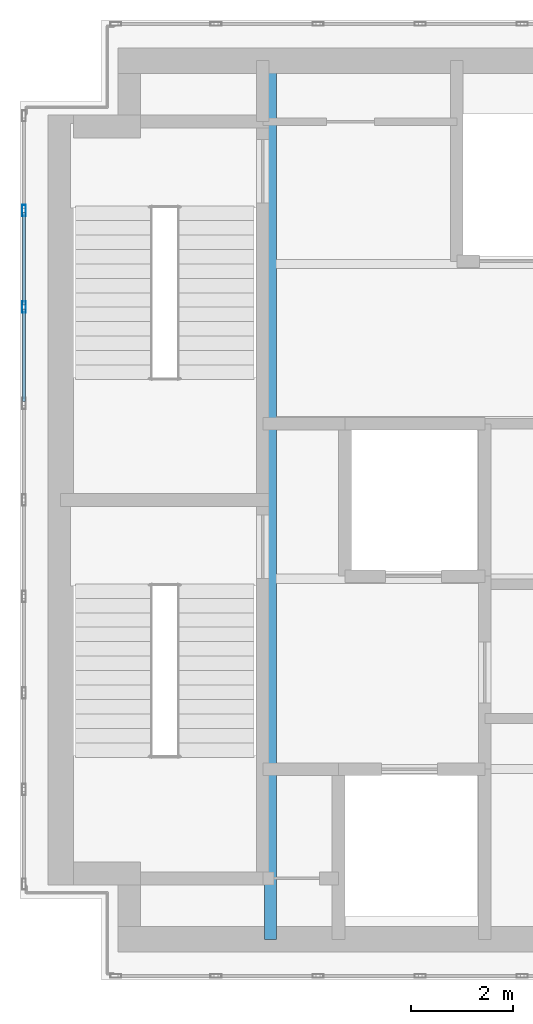
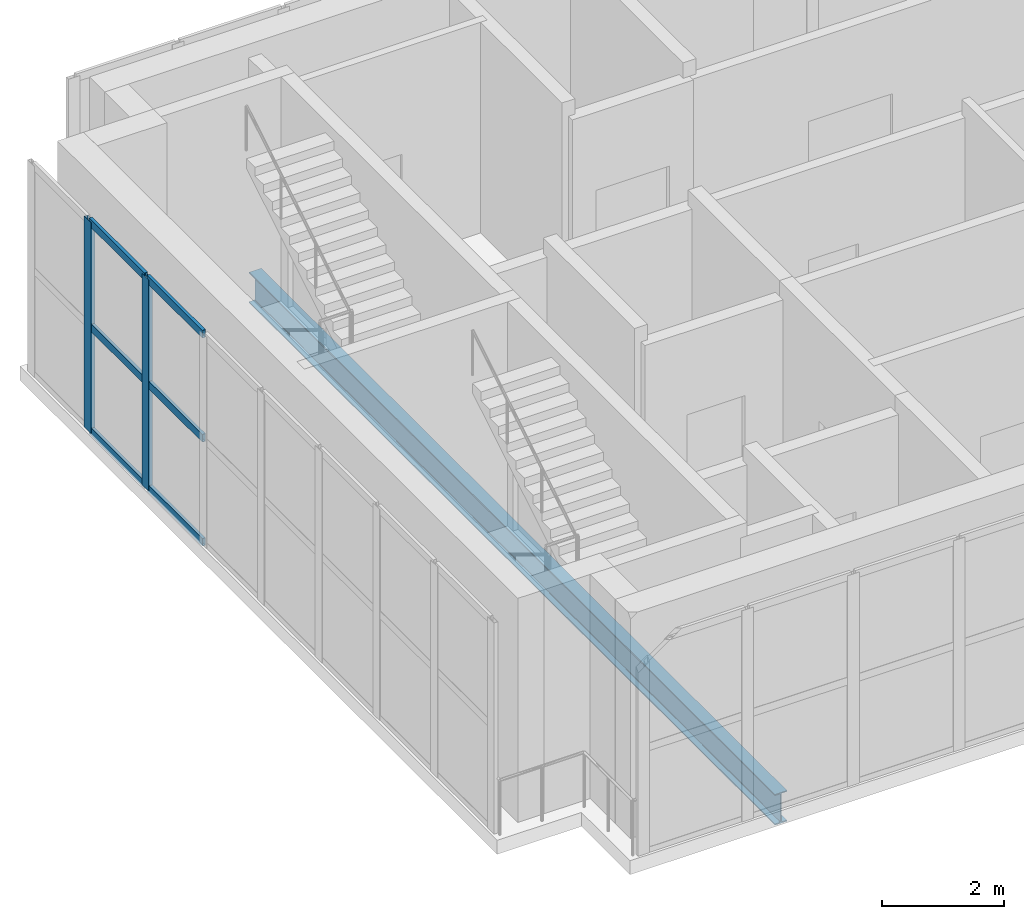
# One storey, part 4 of 21: 8 members, 1 beam, 1 element without a shape of its own.
"""IFC4 building model written with IfcOpenShell, lengths in metres."""

from ifc_helpers import new_model, si_unit, direction, frame, origin, origin_2d, place, context, subcontext, project, spatial, hollow_rectangle, i_section, extrude, material, layer, layer_set, material_profile, profile_set, type_object, element, aggregate, save


model = new_model("IFC4")

# Units and contexts
model_context = context("Model", 3, precision=1e-05, world=origin(), true_north=direction((0.0, 1.0)))
body_context = subcontext(model_context, "Body", "Model", "MODEL_VIEW")
ifc_project = project(units=[si_unit("LENGTHUNIT", "METRE"), si_unit("AREAUNIT", "SQUARE_METRE"), si_unit("VOLUMEUNIT", "CUBIC_METRE"), si_unit("PLANEANGLEUNIT", "RADIAN"), si_unit("MASSUNIT", "GRAM", prefix="KILO")], contexts=[model_context])

# Site, building, storey
site_placement = place(None, origin())
site = spatial("IfcSite", under=ifc_project, at=site_placement, CompositionType="ELEMENT")
building_placement = place(site_placement, origin())
building = spatial("IfcBuilding", under=site, at=building_placement, Name="Mawjdan Bourse Tower", CompositionType="ELEMENT")
storey_placement = place(building_placement, frame((0.0, 0.0, 317.699951171875)))
storey = spatial("IfcBuildingStorey", under=building, at=storey_placement, Name="L78", CompositionType="ELEMENT", Elevation=317.699951171875)

# Beam
ifc_material_1 = material(Name="Structural Steel S355", Category="steel")
ifc_material_profile_1 = material_profile(ifc_material_1, i_section(OverallWidth=0.22998046875, OverallDepth=0.616943359375, WebThickness=0.01318359375, FlangeThickness=0.022216796875, FilletRadius=0.017822265625, at=origin_2d()), Name="W24X94")
ifc_profile_set_1 = profile_set([ifc_material_profile_1], Name="Structural Steel S355")
beam_type = type_object("IfcBeamType", Name="GRD-W24X94", PredefinedType="BEAM", material=ifc_profile_set_1)
beam_placement = place(storey_placement, frame((10.47998046875, 3.35009765625, -0.58837890625), z_axis=(0.0, 1.0, 0.0), x_axis=(-1.0, 0.0, 0.0)))
element("IfcBeam", 1, at=beam_placement, inside=storey, type_object=beam_type, Name="L78 Core Stair Trimmer Girder 001", PredefinedType="BEAM", context=body_context, shape_type="SweptSolid", body=[
    extrude(i_section(OverallWidth=0.22998046875, OverallDepth=0.616943359375, WebThickness=0.01318359375, FlangeThickness=0.022216796875, FilletRadius=0.017822265625, at=origin_2d()), origin(), (0.0, 0.0, 1.0), 17.2998046875),
])

# Curtain wall, members
ifc_material_2 = material(Name="Thermally Broken Aluminium and Solar Glass", Category="aluminium")
ifc_layer = layer(ifc_material_2, 0.219970703125)
ifc_layer_set = layer_set([ifc_layer], Name="Thermally Broken Aluminium and Solar Glass")
curtain_wall_type = type_object("IfcCurtainWallType", Name="CW-CRN", PredefinedType="USERDEFINED", material=ifc_layer_set)
curtain_wall_placement = place(storey_placement, origin())
curtain_wall = element("IfcCurtainWall", 2, at=curtain_wall_placement, inside=storey, type_object=curtain_wall_type, Name="L78 Lantern Crown West Curtain Wall", ObjectType="LANTERN GLAZED CROWN", PredefinedType="USERDEFINED")
ifc_material_3 = material(Name="Thermally Broken Anodised Aluminium", Category="aluminium")
ifc_material_profile_2 = material_profile(ifc_material_3, hollow_rectangle(XDim=0.074951171875, YDim=0.219970703125, WallThickness=0.0048828125, at=origin_2d()), Name="ALU-MUL-220X75")
ifc_profile_set_2 = profile_set([ifc_material_profile_2], Name="Thermally Broken Anodised Aluminium")
member_type_1 = type_object("IfcMemberType", Name="MUL-ALU-MUL-220X75", PredefinedType="MULLION", material=ifc_profile_set_2)
member_1_placement = place(storey_placement, frame((5.6298828125, 17.699951171875, 0.0), z_axis=(0.0, 0.0, 1.0), x_axis=(1.0, 0.0, 0.0)))
member_1 = element("IfcMember", 3, at=member_1_placement, type_object=member_type_1, Name="CW-CRN-L78-CRN-W mullion 2", PredefinedType="MULLION", context=body_context, shape_type="SweptSolid", body=[
    extrude(hollow_rectangle(XDim=0.074951171875, YDim=0.219970703125, WallThickness=0.0048828125, at=origin_2d()), origin(), (0.0, 0.0, 1.0), 4.239990234375),
])
member_2_placement = place(storey_placement, frame((5.6298828125, 15.800048828125, 0.0), z_axis=(0.0, 0.0, 1.0), x_axis=(1.0, 0.0, 0.0)))
member_2 = element("IfcMember", 4, at=member_2_placement, type_object=member_type_1, Name="CW-CRN-L78-CRN-W mullion 3", PredefinedType="MULLION", context=body_context, shape_type="SweptSolid", body=[
    extrude(hollow_rectangle(XDim=0.074951171875, YDim=0.219970703125, WallThickness=0.0048828125, at=origin_2d()), origin(), (0.0, 0.0, 1.0), 4.239990234375),
])
ifc_material_profile_3 = material_profile(ifc_material_3, hollow_rectangle(XDim=0.06005859375, YDim=0.155029296875, WallThickness=0.00390625, at=origin_2d()), Name="ALU-TRN-155X60")
ifc_profile_set_3 = profile_set([ifc_material_profile_3], Name="Thermally Broken Anodised Aluminium")
member_type_2 = type_object("IfcMemberType", Name="TRN-ALU-TRN-155X60", PredefinedType="USERDEFINED", material=ifc_profile_set_3)
member_3_placement = place(storey_placement, frame((5.6298828125, 17.66259765625, 0.030029296875), z_axis=(0.0, -1.0, 0.0), x_axis=(1.0, 0.0, 0.0)))
member_3 = element("IfcMember", 5, at=member_3_placement, type_object=member_type_2, Name="CW-CRN-L78-CRN-W transom 2.1", ObjectType="TRANSOM", PredefinedType="USERDEFINED", context=body_context, shape_type="SweptSolid", body=[
    extrude(hollow_rectangle(XDim=0.06005859375, YDim=0.155029296875, WallThickness=0.00390625, at=origin_2d()), origin(), (0.0, 0.0, 1.0), 1.8251953125),
])
member_4_placement = place(storey_placement, frame((5.6298828125, 17.66259765625, 2.1201171875), z_axis=(0.0, -1.0, 0.0), x_axis=(1.0, 0.0, 0.0)))
member_4 = element("IfcMember", 6, at=member_4_placement, type_object=member_type_2, Name="CW-CRN-L78-CRN-W transom 2.2", ObjectType="TRANSOM", PredefinedType="USERDEFINED", context=body_context, shape_type="SweptSolid", body=[
    extrude(hollow_rectangle(XDim=0.06005859375, YDim=0.155029296875, WallThickness=0.00390625, at=origin_2d()), origin(), (0.0, 0.0, 1.0), 1.8251953125),
])
member_5_placement = place(storey_placement, frame((5.6298828125, 17.66259765625, 4.2099609375), z_axis=(0.0, -1.0, 0.0), x_axis=(1.0, 0.0, 0.0)))
member_5 = element("IfcMember", 7, at=member_5_placement, type_object=member_type_2, Name="CW-CRN-L78-CRN-W transom 2.3", ObjectType="TRANSOM", PredefinedType="USERDEFINED", context=body_context, shape_type="SweptSolid", body=[
    extrude(hollow_rectangle(XDim=0.06005859375, YDim=0.155029296875, WallThickness=0.00390625, at=origin_2d()), origin(), (0.0, 0.0, 1.0), 1.8251953125),
])
member_6_placement = place(storey_placement, frame((5.6298828125, 15.762451171875, 0.030029296875), z_axis=(0.0, -1.0, 0.0), x_axis=(1.0, 0.0, 0.0)))
member_6 = element("IfcMember", 8, at=member_6_placement, type_object=member_type_2, Name="CW-CRN-L78-CRN-W transom 3.1", ObjectType="TRANSOM", PredefinedType="USERDEFINED", context=body_context, shape_type="SweptSolid", body=[
    extrude(hollow_rectangle(XDim=0.06005859375, YDim=0.155029296875, WallThickness=0.00390625, at=origin_2d()), origin(), (0.0, 0.0, 1.0), 1.824951171875),
])
member_7_placement = place(storey_placement, frame((5.6298828125, 15.762451171875, 2.1201171875), z_axis=(0.0, -1.0, 0.0), x_axis=(1.0, 0.0, 0.0)))
member_7 = element("IfcMember", 9, at=member_7_placement, type_object=member_type_2, Name="CW-CRN-L78-CRN-W transom 3.2", ObjectType="TRANSOM", PredefinedType="USERDEFINED", context=body_context, shape_type="SweptSolid", body=[
    extrude(hollow_rectangle(XDim=0.06005859375, YDim=0.155029296875, WallThickness=0.00390625, at=origin_2d()), origin(), (0.0, 0.0, 1.0), 1.824951171875),
])
member_8_placement = place(storey_placement, frame((5.6298828125, 15.762451171875, 4.2099609375), z_axis=(0.0, -1.0, 0.0), x_axis=(1.0, 0.0, 0.0)))
member_8 = element("IfcMember", 10, at=member_8_placement, type_object=member_type_2, Name="CW-CRN-L78-CRN-W transom 3.3", ObjectType="TRANSOM", PredefinedType="USERDEFINED", context=body_context, shape_type="SweptSolid", body=[
    extrude(hollow_rectangle(XDim=0.06005859375, YDim=0.155029296875, WallThickness=0.00390625, at=origin_2d()), origin(), (0.0, 0.0, 1.0), 1.824951171875),
])
aggregate(curtain_wall, [member_1, member_2, member_3, member_4, member_5, member_6, member_7, member_8])

save(model, "model.ifc")
